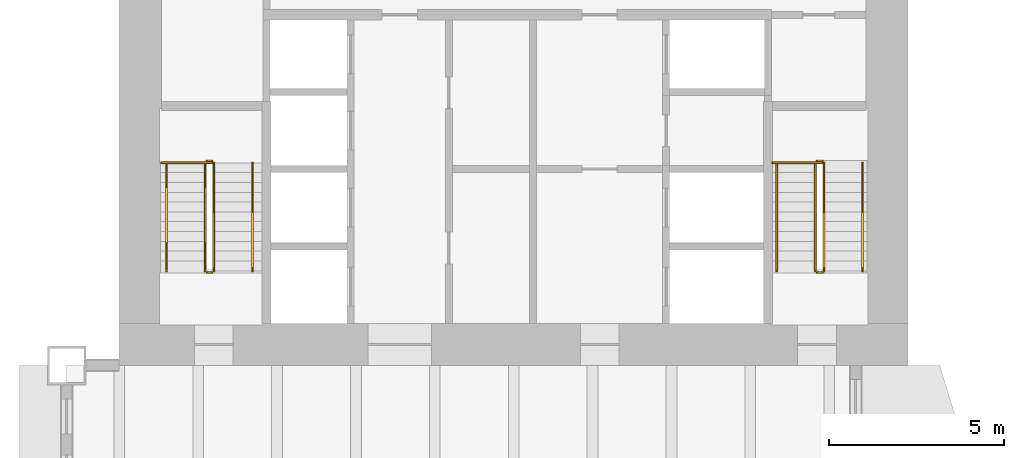
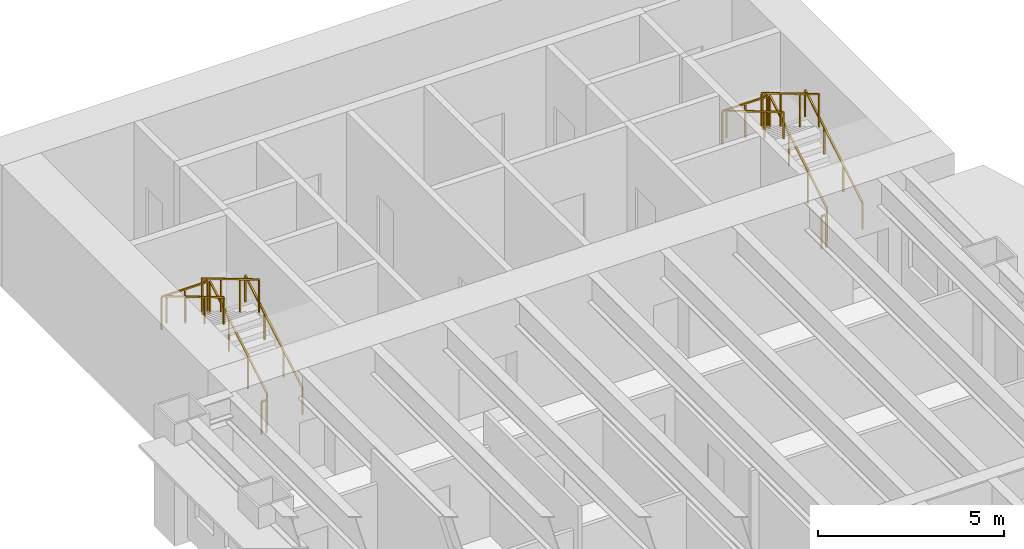
# One storey, part 15 of 15: 14 railings.
"""IFC4 building model written with IfcOpenShell, lengths in metres."""

from ifc_helpers import new_model, si_unit, direction, frame, origin, origin_2d, place, context, subcontext, project, spatial, rectangle, extrude, material, type_object, element, save


model = new_model("IFC4")

# Units and contexts
model_context = context("Model", 3, precision=1e-05, world=origin(), true_north=direction((0.0, 1.0)))
body_context = subcontext(model_context, "Body", "Model", "MODEL_VIEW")
ifc_project = project(units=[si_unit("LENGTHUNIT", "METRE"), si_unit("AREAUNIT", "SQUARE_METRE"), si_unit("VOLUMEUNIT", "CUBIC_METRE"), si_unit("PLANEANGLEUNIT", "RADIAN"), si_unit("MASSUNIT", "GRAM", prefix="KILO")], contexts=[model_context])

# Site, building, storey
site_placement = place(None, origin())
site = spatial("IfcSite", under=ifc_project, at=site_placement, CompositionType="ELEMENT")
building_placement = place(site_placement, origin())
building = spatial("IfcBuilding", under=site, at=building_placement, Name="Sennacour Bend Tower", CompositionType="ELEMENT")
storey_placement = place(building_placement, frame((0.0, 0.0, 37.0)))
storey = spatial("IfcBuildingStorey", under=building, at=storey_placement, Name="L07", CompositionType="ELEMENT", Elevation=37.0)

# Railings
ifc_material = material(Name="Stainless steel", Category="steel")
railing_type_1 = type_object("IfcRailingType", Name="RL-GUARD-1100", PredefinedType="GUARDRAIL", material=ifc_material)
railing_1_placement = place(storey_placement, frame((2.699951171875, 38.699951171875, 0.166748046875)))
element("IfcRailing", 1, at=railing_1_placement, inside=storey, type_object=railing_type_1, Name="L07 SB1 stair guard 1", PredefinedType="GUARDRAIL", context=body_context, shape_type="SweptSolid", body=[
    extrude(rectangle(XDim=0.048095703125, YDim=0.048095703125, at=origin_2d()), frame((0.0, 0.0, 1.076171875), z_axis=(0.0, 0.859308565015, 0.511457515432), x_axis=(-1.0, 0.0, 0.0)), (0.0, 0.0, 1.0), 3.58447265625),
    extrude(rectangle(XDim=0.0419921875, YDim=0.0419921875, at=origin_2d()), origin(), (0.0, 0.0, 1.0), 1.052001953125),
    extrude(rectangle(XDim=0.0419921875, YDim=0.0419921875, at=origin_2d()), frame((0.0, 1.026611328125, 0.611083984375)), (0.0, 0.0, 1.0), 1.052001953125),
    extrude(rectangle(XDim=0.0419921875, YDim=0.0419921875, at=origin_2d()), frame((0.0, 2.053466796875, 1.22216796875)), (0.0, 0.0, 1.0), 1.052001953125),
    extrude(rectangle(XDim=0.0419921875, YDim=0.0419921875, at=origin_2d()), frame((0.0, 3.080078125, 1.833251953125)), (0.0, 0.0, 1.0), 1.052001953125),
])
railing_2_placement = place(storey_placement, frame((2.64990234375, 41.830078125, 2.0)))
element("IfcRailing", 2, at=railing_2_placement, inside=storey, type_object=railing_type_1, Name="L07 SB1 stair guard 2", PredefinedType="GUARDRAIL", context=body_context, shape_type="SweptSolid", body=[
    extrude(rectangle(XDim=0.048095703125, YDim=0.048095703125, at=origin_2d()), frame((0.0, 0.0, 1.076171875), z_axis=(-1.0, 0.0, 0.0), x_axis=(0.0, -1.0, 0.0)), (0.0, 0.0, 1.0), 0.14990234375),
    extrude(rectangle(XDim=0.0419921875, YDim=0.0419921875, at=origin_2d()), origin(), (0.0, 0.0, 1.0), 1.052001953125),
    extrude(rectangle(XDim=0.0419921875, YDim=0.0419921875, at=origin_2d()), frame((-0.14990234375, 0.0, 0.0)), (0.0, 0.0, 1.0), 1.052001953125),
])
railing_3_placement = place(storey_placement, frame((2.449951171875, 41.780029296875, 2.166748046875)))
element("IfcRailing", 3, at=railing_3_placement, inside=storey, type_object=railing_type_1, Name="L07 SB1 stair guard 4", PredefinedType="GUARDRAIL", context=body_context, shape_type="SweptSolid", body=[
    extrude(rectangle(XDim=0.048095703125, YDim=0.048095703125, at=origin_2d()), frame((0.0, 0.0, 1.076171875), z_axis=(0.0, -0.859308565015, 0.511457515432), x_axis=(1.0, 0.0, 0.0)), (0.0, 0.0, 1.0), 3.58447265625),
    extrude(rectangle(XDim=0.0419921875, YDim=0.0419921875, at=origin_2d()), origin(), (0.0, 0.0, 1.0), 1.052001953125),
    extrude(rectangle(XDim=0.0419921875, YDim=0.0419921875, at=origin_2d()), frame((0.0, -1.026611328125, 0.611083984375)), (0.0, 0.0, 1.0), 1.052001953125),
    extrude(rectangle(XDim=0.0419921875, YDim=0.0419921875, at=origin_2d()), frame((0.0, -2.053466796875, 1.22216796875)), (0.0, 0.0, 1.0), 1.052001953125),
    extrude(rectangle(XDim=0.0419921875, YDim=0.0419921875, at=origin_2d()), frame((0.0, -3.080078125, 1.833251953125)), (0.0, 0.0, 1.0), 1.052001953125),
])
railing_4_placement = place(storey_placement, frame((2.64990234375, 38.64990234375, 0.0)))
element("IfcRailing", 4, at=railing_4_placement, inside=storey, type_object=railing_type_1, Name="L07 SB1 stair guard 5", PredefinedType="GUARDRAIL", context=body_context, shape_type="SweptSolid", body=[
    extrude(rectangle(XDim=0.048095703125, YDim=0.048095703125, at=origin_2d()), frame((0.0, 0.0, 1.076171875), z_axis=(-1.0, 0.0, 0.0), x_axis=(0.0, -1.0, 0.0)), (0.0, 0.0, 1.0), 0.14990234375),
    extrude(rectangle(XDim=0.0419921875, YDim=0.0419921875, at=origin_2d()), origin(), (0.0, 0.0, 1.0), 1.052001953125),
    extrude(rectangle(XDim=0.0419921875, YDim=0.0419921875, at=origin_2d()), frame((-0.14990234375, 0.0, 0.0)), (0.0, 0.0, 1.0), 1.052001953125),
])
railing_5_placement = place(storey_placement, frame((2.64990234375, 41.780029296875, 2.0)))
element("IfcRailing", 5, at=railing_5_placement, inside=storey, type_object=railing_type_1, Name="L07 SB1 landing edge guard 26", PredefinedType="GUARDRAIL", context=body_context, shape_type="SweptSolid", body=[
    extrude(rectangle(XDim=0.048095703125, YDim=0.048095703125, at=origin_2d()), frame((0.0, 0.0, 1.076171875), z_axis=(-1.0, 0.0, 0.0), x_axis=(0.0, -1.0, 0.0)), (0.0, 0.0, 1.0), 1.449951171875),
    extrude(rectangle(XDim=0.0419921875, YDim=0.0419921875, at=origin_2d()), origin(), (0.0, 0.0, 1.0), 1.052001953125),
    extrude(rectangle(XDim=0.0419921875, YDim=0.0419921875, at=origin_2d()), frame((-0.72509765625, 0.0, 0.0)), (0.0, 0.0, 1.0), 1.052001953125),
    extrude(rectangle(XDim=0.0419921875, YDim=0.0419921875, at=origin_2d()), frame((-1.449951171875, 0.0, 0.0)), (0.0, 0.0, 1.0), 1.052001953125),
])
railing_6_placement = place(storey_placement, frame((20.10009765625, 38.699951171875, 0.166748046875)))
element("IfcRailing", 6, at=railing_6_placement, inside=storey, type_object=railing_type_1, Name="L07 SB2 stair guard 1", PredefinedType="GUARDRAIL", context=body_context, shape_type="SweptSolid", body=[
    extrude(rectangle(XDim=0.048095703125, YDim=0.048095703125, at=origin_2d()), frame((0.0, 0.0, 1.076171875), z_axis=(0.0, 0.859308565015, 0.511457515432), x_axis=(-1.0, 0.0, 0.0)), (0.0, 0.0, 1.0), 3.58447265625),
    extrude(rectangle(XDim=0.0419921875, YDim=0.0419921875, at=origin_2d()), origin(), (0.0, 0.0, 1.0), 1.052001953125),
    extrude(rectangle(XDim=0.0419921875, YDim=0.0419921875, at=origin_2d()), frame((0.0, 1.026611328125, 0.611083984375)), (0.0, 0.0, 1.0), 1.052001953125),
    extrude(rectangle(XDim=0.0419921875, YDim=0.0419921875, at=origin_2d()), frame((0.0, 2.053466796875, 1.22216796875)), (0.0, 0.0, 1.0), 1.052001953125),
    extrude(rectangle(XDim=0.0419921875, YDim=0.0419921875, at=origin_2d()), frame((0.0, 3.080078125, 1.833251953125)), (0.0, 0.0, 1.0), 1.052001953125),
])
railing_7_placement = place(storey_placement, frame((20.050048828125, 41.830078125, 2.0)))
element("IfcRailing", 7, at=railing_7_placement, inside=storey, type_object=railing_type_1, Name="L07 SB2 stair guard 2", PredefinedType="GUARDRAIL", context=body_context, shape_type="SweptSolid", body=[
    extrude(rectangle(XDim=0.048095703125, YDim=0.048095703125, at=origin_2d()), frame((0.0, 0.0, 1.076171875), z_axis=(-1.0, 0.0, 0.0), x_axis=(0.0, -1.0, 0.0)), (0.0, 0.0, 1.0), 0.150146484375),
    extrude(rectangle(XDim=0.0419921875, YDim=0.0419921875, at=origin_2d()), origin(), (0.0, 0.0, 1.0), 1.052001953125),
    extrude(rectangle(XDim=0.0419921875, YDim=0.0419921875, at=origin_2d()), frame((-0.150146484375, 0.0, 0.0)), (0.0, 0.0, 1.0), 1.052001953125),
])
railing_8_placement = place(storey_placement, frame((19.85009765625, 41.780029296875, 2.166748046875)))
element("IfcRailing", 8, at=railing_8_placement, inside=storey, type_object=railing_type_1, Name="L07 SB2 stair guard 4", PredefinedType="GUARDRAIL", context=body_context, shape_type="SweptSolid", body=[
    extrude(rectangle(XDim=0.048095703125, YDim=0.048095703125, at=origin_2d()), frame((0.0, 0.0, 1.076171875), z_axis=(0.0, -0.859308565015, 0.511457515432), x_axis=(1.0, 0.0, 0.0)), (0.0, 0.0, 1.0), 3.58447265625),
    extrude(rectangle(XDim=0.0419921875, YDim=0.0419921875, at=origin_2d()), origin(), (0.0, 0.0, 1.0), 1.052001953125),
    extrude(rectangle(XDim=0.0419921875, YDim=0.0419921875, at=origin_2d()), frame((0.0, -1.026611328125, 0.611083984375)), (0.0, 0.0, 1.0), 1.052001953125),
    extrude(rectangle(XDim=0.0419921875, YDim=0.0419921875, at=origin_2d()), frame((0.0, -2.053466796875, 1.22216796875)), (0.0, 0.0, 1.0), 1.052001953125),
    extrude(rectangle(XDim=0.0419921875, YDim=0.0419921875, at=origin_2d()), frame((0.0, -3.080078125, 1.833251953125)), (0.0, 0.0, 1.0), 1.052001953125),
])
railing_9_placement = place(storey_placement, frame((20.050048828125, 38.64990234375, 0.0)))
element("IfcRailing", 9, at=railing_9_placement, inside=storey, type_object=railing_type_1, Name="L07 SB2 stair guard 5", PredefinedType="GUARDRAIL", context=body_context, shape_type="SweptSolid", body=[
    extrude(rectangle(XDim=0.048095703125, YDim=0.048095703125, at=origin_2d()), frame((0.0, 0.0, 1.076171875), z_axis=(-1.0, 0.0, 0.0), x_axis=(0.0, -1.0, 0.0)), (0.0, 0.0, 1.0), 0.150146484375),
    extrude(rectangle(XDim=0.0419921875, YDim=0.0419921875, at=origin_2d()), origin(), (0.0, 0.0, 1.0), 1.052001953125),
    extrude(rectangle(XDim=0.0419921875, YDim=0.0419921875, at=origin_2d()), frame((-0.150146484375, 0.0, 0.0)), (0.0, 0.0, 1.0), 1.052001953125),
])
railing_10_placement = place(storey_placement, frame((20.050048828125, 41.780029296875, 2.0)))
element("IfcRailing", 10, at=railing_10_placement, inside=storey, type_object=railing_type_1, Name="L07 SB2 landing edge guard 18", PredefinedType="GUARDRAIL", context=body_context, shape_type="SweptSolid", body=[
    extrude(rectangle(XDim=0.048095703125, YDim=0.048095703125, at=origin_2d()), frame((0.0, 0.0, 1.076171875), z_axis=(-1.0, 0.0, 0.0), x_axis=(0.0, -1.0, 0.0)), (0.0, 0.0, 1.0), 1.425048828125),
    extrude(rectangle(XDim=0.0419921875, YDim=0.0419921875, at=origin_2d()), origin(), (0.0, 0.0, 1.0), 1.052001953125),
    extrude(rectangle(XDim=0.0419921875, YDim=0.0419921875, at=origin_2d()), frame((-0.71240234375, 0.0, 0.0)), (0.0, 0.0, 1.0), 1.052001953125),
    extrude(rectangle(XDim=0.0419921875, YDim=0.0419921875, at=origin_2d()), frame((-1.425048828125, 0.0, 0.0)), (0.0, 0.0, 1.0), 1.052001953125),
])
railing_type_2 = type_object("IfcRailingType", Name="RL-HANDRAIL-900", PredefinedType="HANDRAIL", material=ifc_material)
railing_11_placement = place(storey_placement, frame((3.800048828125, 38.699951171875, 0.166748046875)))
element("IfcRailing", 11, at=railing_11_placement, inside=storey, type_object=railing_type_2, Name="L07 SB1 stair handrail 1", PredefinedType="HANDRAIL", context=body_context, shape_type="SweptSolid", body=[
    extrude(rectangle(XDim=0.048095703125, YDim=0.048095703125, at=origin_2d()), frame((0.0, 0.0, 0.8759765625), z_axis=(0.0, 0.859308565015, 0.511457515432), x_axis=(-1.0, 0.0, 0.0)), (0.0, 0.0, 1.0), 3.58447265625),
    extrude(rectangle(XDim=0.0419921875, YDim=0.0419921875, at=origin_2d()), origin(), (0.0, 0.0, 1.0), 0.851806640625),
    extrude(rectangle(XDim=0.0419921875, YDim=0.0419921875, at=origin_2d()), frame((0.0, 1.026611328125, 0.611083984375)), (0.0, 0.0, 1.0), 0.851806640625),
    extrude(rectangle(XDim=0.0419921875, YDim=0.0419921875, at=origin_2d()), frame((0.0, 2.053466796875, 1.22216796875)), (0.0, 0.0, 1.0), 0.851806640625),
    extrude(rectangle(XDim=0.0419921875, YDim=0.0419921875, at=origin_2d()), frame((0.0, 3.080078125, 1.833251953125)), (0.0, 0.0, 1.0), 0.851806640625),
])
railing_12_placement = place(storey_placement, frame((1.35009765625, 41.780029296875, 2.166748046875)))
element("IfcRailing", 12, at=railing_12_placement, inside=storey, type_object=railing_type_2, Name="L07 SB1 stair handrail 2", PredefinedType="HANDRAIL", context=body_context, shape_type="SweptSolid", body=[
    extrude(rectangle(XDim=0.048095703125, YDim=0.048095703125, at=origin_2d()), frame((0.0, 0.0, 0.8759765625), z_axis=(0.0, -0.859308565015, 0.511457515432), x_axis=(1.0, 0.0, 0.0)), (0.0, 0.0, 1.0), 3.58447265625),
    extrude(rectangle(XDim=0.0419921875, YDim=0.0419921875, at=origin_2d()), origin(), (0.0, 0.0, 1.0), 0.851806640625),
    extrude(rectangle(XDim=0.0419921875, YDim=0.0419921875, at=origin_2d()), frame((0.0, -1.026611328125, 0.611083984375)), (0.0, 0.0, 1.0), 0.851806640625),
    extrude(rectangle(XDim=0.0419921875, YDim=0.0419921875, at=origin_2d()), frame((0.0, -2.053466796875, 1.22216796875)), (0.0, 0.0, 1.0), 0.851806640625),
    extrude(rectangle(XDim=0.0419921875, YDim=0.0419921875, at=origin_2d()), frame((0.0, -3.080078125, 1.833251953125)), (0.0, 0.0, 1.0), 0.851806640625),
])
railing_13_placement = place(storey_placement, frame((21.199951171875, 38.699951171875, 0.166748046875)))
element("IfcRailing", 13, at=railing_13_placement, inside=storey, type_object=railing_type_2, Name="L07 SB2 stair handrail 1", PredefinedType="HANDRAIL", context=body_context, shape_type="SweptSolid", body=[
    extrude(rectangle(XDim=0.048095703125, YDim=0.048095703125, at=origin_2d()), frame((0.0, 0.0, 0.8759765625), z_axis=(0.0, 0.859308565015, 0.511457515432), x_axis=(-1.0, 0.0, 0.0)), (0.0, 0.0, 1.0), 3.58447265625),
    extrude(rectangle(XDim=0.0419921875, YDim=0.0419921875, at=origin_2d()), origin(), (0.0, 0.0, 1.0), 0.851806640625),
    extrude(rectangle(XDim=0.0419921875, YDim=0.0419921875, at=origin_2d()), frame((0.0, 1.026611328125, 0.611083984375)), (0.0, 0.0, 1.0), 0.851806640625),
    extrude(rectangle(XDim=0.0419921875, YDim=0.0419921875, at=origin_2d()), frame((0.0, 2.053466796875, 1.22216796875)), (0.0, 0.0, 1.0), 0.851806640625),
    extrude(rectangle(XDim=0.0419921875, YDim=0.0419921875, at=origin_2d()), frame((0.0, 3.080078125, 1.833251953125)), (0.0, 0.0, 1.0), 0.851806640625),
])
railing_14_placement = place(storey_placement, frame((18.75, 41.780029296875, 2.166748046875)))
element("IfcRailing", 14, at=railing_14_placement, inside=storey, type_object=railing_type_2, Name="L07 SB2 stair handrail 2", PredefinedType="HANDRAIL", context=body_context, shape_type="SweptSolid", body=[
    extrude(rectangle(XDim=0.048095703125, YDim=0.048095703125, at=origin_2d()), frame((0.0, 0.0, 0.8759765625), z_axis=(0.0, -0.859308565015, 0.511457515432), x_axis=(1.0, 0.0, 0.0)), (0.0, 0.0, 1.0), 3.58447265625),
    extrude(rectangle(XDim=0.0419921875, YDim=0.0419921875, at=origin_2d()), origin(), (0.0, 0.0, 1.0), 0.851806640625),
    extrude(rectangle(XDim=0.0419921875, YDim=0.0419921875, at=origin_2d()), frame((0.0, -1.026611328125, 0.611083984375)), (0.0, 0.0, 1.0), 0.851806640625),
    extrude(rectangle(XDim=0.0419921875, YDim=0.0419921875, at=origin_2d()), frame((0.0, -2.053466796875, 1.22216796875)), (0.0, 0.0, 1.0), 0.851806640625),
    extrude(rectangle(XDim=0.0419921875, YDim=0.0419921875, at=origin_2d()), frame((0.0, -3.080078125, 1.833251953125)), (0.0, 0.0, 1.0), 0.851806640625),
])

save(model, "model.ifc")
